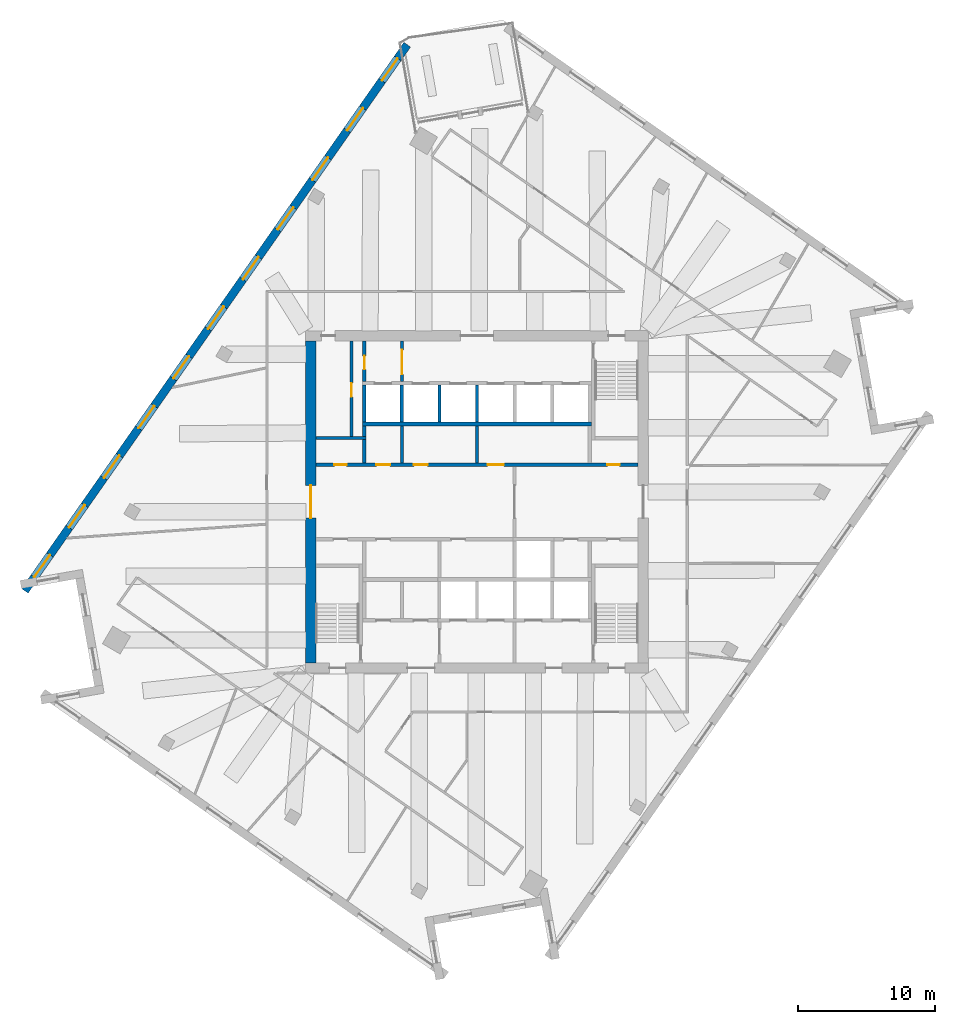
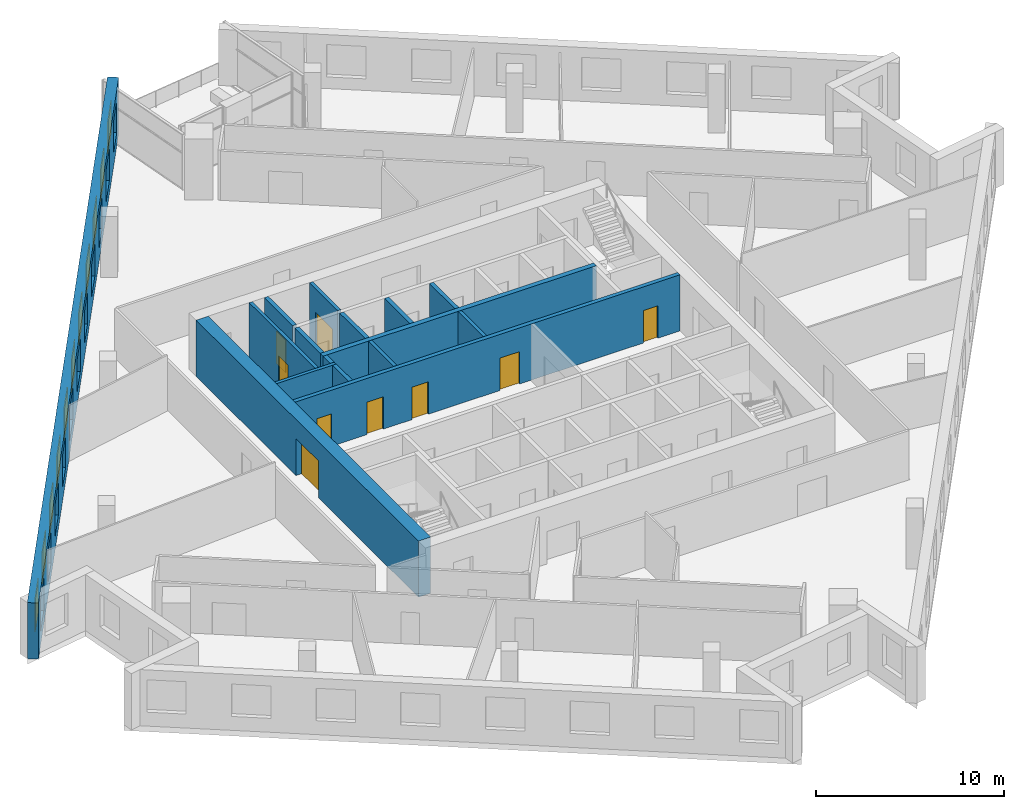
# One storey, part 9 of 13: 16 walls, 11 windows, 9 doors, 20 openings.
"""IFC4 building model written with IfcOpenShell, lengths in metres."""

from ifc_helpers import new_model, si_unit, direction, frame, frame_2d, origin, place, context, subcontext, project, spatial, rectangle, extrude, material, layer, layer_set, type_object, element, fill, save


model = new_model("IFC4")

# Units and contexts
model_context = context("Model", 3, precision=1e-05, world=origin(), true_north=direction((0.0, 1.0)))
body_context = subcontext(model_context, "Body", "Model", "MODEL_VIEW")
ifc_project = project(units=[si_unit("LENGTHUNIT", "METRE"), si_unit("AREAUNIT", "SQUARE_METRE"), si_unit("VOLUMEUNIT", "CUBIC_METRE"), si_unit("PLANEANGLEUNIT", "RADIAN"), si_unit("MASSUNIT", "GRAM", prefix="KILO")], contexts=[model_context])

# Site, building, storey
site_placement = place(None, origin())
site = spatial("IfcSite", under=ifc_project, at=site_placement, CompositionType="ELEMENT")
building_placement = place(site_placement, origin())
building = spatial("IfcBuilding", under=site, at=building_placement, Name="Dilmun Exchange Tower", CompositionType="ELEMENT")
storey_placement = place(building_placement, frame((0.0, 0.0, 242.89990234375)))
storey = spatial("IfcBuildingStorey", under=building, at=storey_placement, Name="L57", CompositionType="ELEMENT", Elevation=242.89990234375)

# Walls
ifc_material_1 = material(Name="Concrete C40/50", Category="concrete")
ifc_layer_1 = layer(ifc_material_1, 0.199951171875)
ifc_layer_set_1 = layer_set([ifc_layer_1], Name="Concrete C40/50")
wall_type_1 = type_object("IfcWallType", Name="Core partition wall 200", PredefinedType="PARTITIONING", material=ifc_layer_set_1)
for number, where, z_axis, x_axis, name in (
    (1, (-5.5, 2.85498046875, 0.0), (0.0, 0.0, 1.0), (0.0, 1.0, 0.0), "L57 core partition wall 15"),
    (2, (0.0, 2.85498046875, 0.0), (0.0, 0.0, 1.0), (0.0, 1.0, 0.0), "L57 core partition wall 16"),
):
    element("IfcWall", number, at=place(storey_placement, frame(where, z_axis=z_axis, x_axis=x_axis)), inside=storey, type_object=wall_type_1, Name=name, PredefinedType="PARTITIONING", context=body_context, shape_type="SweptSolid", body=[
        extrude(rectangle(XDim=2.68994140625, YDim=0.199951171875, at=frame_2d((1.344970703125, 0.0))), origin(), (0.0, 0.0, 1.0), 3.64013671875),
    ])
wall_1_placement = place(storey_placement, frame((-11.794921875, 4.675048828125, 0.0), z_axis=(0.0, 0.0, 1.0), x_axis=(1.0, 0.0, 0.0)))
element("IfcWall", 3, at=wall_1_placement, inside=storey, type_object=wall_type_1, Name="L57 core partition wall 18", PredefinedType="PARTITIONING", context=body_context, shape_type="SweptSolid", body=[
    extrude(rectangle(XDim=3.64501953125, YDim=0.199951171875, at=frame_2d((1.822509765625, 0.0))), origin(), (0.0, 0.0, 1.0), 3.64013671875),
])

# Wall, opening, door
wall_2_placement = place(storey_placement, frame((-9.199951171875, 4.780029296875, 0.0), z_axis=(0.0, 0.0, 1.0), x_axis=(0.0, 1.0, 0.0)))
wall_2 = element("IfcWall", 4, at=wall_2_placement, inside=storey, type_object=wall_type_1, Name="L57 core partition wall 19", PredefinedType="PARTITIONING", context=body_context, shape_type="SweptSolid", body=[
    extrude(rectangle(XDim=7.014892578125, YDim=0.199951171875, at=frame_2d((3.50732421875, 0.0))), origin(), (0.0, 0.0, 1.0), 3.64013671875),
])
opening_1_placement = place(wall_2_placement, frame((2.919921875, 0.0, 0.0)))
opening_1 = element("IfcOpeningElement", 5, at=opening_1_placement, cuts=wall_2, Name="Opening CD4", PredefinedType="OPENING", context=body_context, shape_type="SweptSolid", body=[
    extrude(rectangle(XDim=1.0, YDim=2.10009765625, at=frame_2d((0.5, 1.050048828125))), frame((0.0, 0.10986328125, 0.0), z_axis=(0.0, -1.0, 0.0), x_axis=(1.0, 0.0, 0.0)), (0.0, 0.0, 1.0), 0.219970703125),
])
ifc_material_2 = material(Name="Fire-rated steel door set", Category="steel")
door_type_1 = type_object("IfcDoorType", Name="Core room door 1000x2100", OperationType="SINGLE_SWING_LEFT", PredefinedType="DOOR", material=ifc_material_2)
door_1_placement = place(opening_1_placement, origin())
door_1 = element("IfcDoor", 6, at=door_1_placement, inside=storey, type_object=door_type_1, Name="L57 door Fire safety store", OperationType="SINGLE_SWING_RIGHT", OverallHeight=2.10009765625, OverallWidth=1.0, PredefinedType="DOOR", context=body_context, shape_type="SweptSolid", body=[
    extrude(rectangle(XDim=1.0, YDim=2.10009765625, at=frame_2d((0.5, 1.050048828125))), frame((0.0, 0.02490234375, 0.0), z_axis=(0.0, -1.0, 0.0), x_axis=(1.0, 0.0, 0.0)), (0.0, 0.0, 1.0), 0.050048828125),
])
fill(opening_1, door_1)

wall_3_placement = place(storey_placement, frame((-5.5, 8.804931640625, 0.0), z_axis=(0.0, 0.0, 1.0), x_axis=(0.0, 1.0, 0.0)))
wall_3 = element("IfcWall", 7, at=wall_3_placement, inside=storey, type_object=wall_type_1, Name="L57 core partition wall 22", PredefinedType="PARTITIONING", context=body_context, shape_type="SweptSolid", body=[
    extrude(rectangle(XDim=2.989990234375, YDim=0.199951171875, at=frame_2d((1.4951171875, 0.0))), origin(), (0.0, 0.0, 1.0), 3.64013671875),
])
opening_2_placement = place(wall_3_placement, frame((0.532470703125, 0.0, 0.0)))
opening_2 = element("IfcOpeningElement", 8, at=opening_2_placement, cuts=wall_3, Name="Opening CD5", PredefinedType="OPENING", context=body_context, shape_type="SweptSolid", body=[
    extrude(rectangle(XDim=1.800048828125, YDim=2.10009765625, at=frame_2d((0.89990234375, 1.050048828125))), frame((0.0, 0.10986328125, 0.0), z_axis=(0.0, -1.0, 0.0), x_axis=(1.0, 0.0, 0.0)), (0.0, 0.0, 1.0), 0.219970703125),
])
door_type_2 = type_object("IfcDoorType", Name="Stair exit door 1800x2100", OperationType="SINGLE_SWING_LEFT", PredefinedType="DOOR", material=ifc_material_2)
door_2_placement = place(opening_2_placement, origin())
door_2 = element("IfcDoor", 9, at=door_2_placement, inside=storey, type_object=door_type_2, Name="L57 door Lift lobby east", OperationType="SINGLE_SWING_LEFT", OverallHeight=2.10009765625, OverallWidth=1.800048828125, PredefinedType="DOOR", context=body_context, shape_type="SweptSolid", body=[
    extrude(rectangle(XDim=1.800048828125, YDim=2.10009765625, at=frame_2d((0.89990234375, 1.050048828125))), frame((0.0, 0.02490234375, 0.0), z_axis=(0.0, -1.0, 0.0), x_axis=(1.0, 0.0, 0.0)), (0.0, 0.0, 1.0), 0.050048828125),
])
fill(opening_2, door_2)

# Wall, openings, doors
ifc_layer_2 = layer(ifc_material_1, 0.25)
ifc_layer_set_2 = layer_set([ifc_layer_2], Name="Concrete C40/50")
wall_type_2 = type_object("IfcWallType", Name="Core partition wall 250", PredefinedType="PARTITIONING", material=ifc_layer_set_2)
wall_4_placement = place(storey_placement, frame((-11.794921875, 2.72509765625, 0.0), z_axis=(0.0, 0.0, 1.0), x_axis=(1.0, 0.0, 0.0)))
wall_4 = element("IfcWall", 10, at=wall_4_placement, inside=storey, type_object=wall_type_2, Name="L57 core partition wall 13", PredefinedType="PARTITIONING", context=body_context, shape_type="SweptSolid", body=[
    extrude(rectangle(XDim=23.58984375, YDim=0.25, at=frame_2d((11.794921875, 0.0))), origin(), (0.0, 0.0, 1.0), 3.64013671875),
])
opening_3_placement = place(wall_4_placement, frame((21.344970703125, 0.0, 0.0)))
opening_3 = element("IfcOpeningElement", 11, at=opening_3_placement, cuts=wall_4, Name="Opening CD6", PredefinedType="OPENING", context=body_context, shape_type="SweptSolid", body=[
    extrude(rectangle(XDim=0.89990234375, YDim=2.10009765625, at=frame_2d((0.449951171875, 1.050048828125))), frame((0.0, 0.135009765625, 0.0), z_axis=(0.0, -1.0, 0.0), x_axis=(1.0, 0.0, 0.0)), (0.0, 0.0, 1.0), 0.27001953125),
])
opening_4_placement = place(wall_4_placement, frame((1.344970703125, 0.0, 0.0)))
opening_4 = element("IfcOpeningElement", 12, at=opening_4_placement, cuts=wall_4, Name="Opening CD6", PredefinedType="OPENING", context=body_context, shape_type="SweptSolid", body=[
    extrude(rectangle(XDim=0.89990234375, YDim=2.10009765625, at=frame_2d((0.449951171875, 1.050048828125))), frame((0.0, 0.135009765625, 0.0), z_axis=(0.0, -1.0, 0.0), x_axis=(1.0, 0.0, 0.0)), (0.0, 0.0, 1.0), 0.27001953125),
])
opening_5_placement = place(wall_4_placement, frame((4.419921875, 0.0, 0.0)))
opening_5 = element("IfcOpeningElement", 13, at=opening_5_placement, cuts=wall_4, Name="Opening CD4", PredefinedType="OPENING", context=body_context, shape_type="SweptSolid", body=[
    extrude(rectangle(XDim=1.0, YDim=2.10009765625, at=frame_2d((0.5, 1.050048828125))), frame((0.0, 0.135009765625, 0.0), z_axis=(0.0, -1.0, 0.0), x_axis=(1.0, 0.0, 0.0)), (0.0, 0.0, 1.0), 0.27001953125),
])
opening_6_placement = place(wall_4_placement, frame((7.169921875, 0.0, 0.0)))
opening_6 = element("IfcOpeningElement", 14, at=opening_6_placement, cuts=wall_4, Name="Opening CD4", PredefinedType="OPENING", context=body_context, shape_type="SweptSolid", body=[
    extrude(rectangle(XDim=1.0, YDim=2.10009765625, at=frame_2d((0.5, 1.050048828125))), frame((0.0, 0.135009765625, 0.0), z_axis=(0.0, -1.0, 0.0), x_axis=(1.0, 0.0, 0.0)), (0.0, 0.0, 1.0), 0.27001953125),
])
opening_7_placement = place(wall_4_placement, frame((12.570068359375, 0.0, 0.0)))
opening_7 = element("IfcOpeningElement", 15, at=opening_7_placement, cuts=wall_4, Name="Opening CD3", PredefinedType="OPENING", context=body_context, shape_type="SweptSolid", body=[
    extrude(rectangle(XDim=1.199951171875, YDim=2.10009765625, at=frame_2d((0.60009765625, 1.050048828125))), frame((0.0, 0.135009765625, 0.0), z_axis=(0.0, -1.0, 0.0), x_axis=(1.0, 0.0, 0.0)), (0.0, 0.0, 1.0), 0.27001953125),
])
door_3_placement = place(opening_5_placement, origin())
door_3 = element("IfcDoor", 16, at=door_3_placement, inside=storey, type_object=door_type_1, Name="L57 door Pantry", OperationType="SINGLE_SWING_RIGHT", OverallHeight=2.10009765625, OverallWidth=1.0, PredefinedType="DOOR", context=body_context, shape_type="SweptSolid", body=[
    extrude(rectangle(XDim=1.0, YDim=2.10009765625, at=frame_2d((0.5, 1.050048828125))), frame((0.0, 0.02490234375, 0.0), z_axis=(0.0, -1.0, 0.0), x_axis=(1.0, 0.0, 0.0)), (0.0, 0.0, 1.0), 0.050048828125),
])
fill(opening_5, door_3)
door_4_placement = place(opening_6_placement, origin())
door_4 = element("IfcDoor", 17, at=door_4_placement, inside=storey, type_object=door_type_1, Name="L57 door Mechanical room", OperationType="SINGLE_SWING_RIGHT", OverallHeight=2.10009765625, OverallWidth=1.0, PredefinedType="DOOR", context=body_context, shape_type="SweptSolid", body=[
    extrude(rectangle(XDim=1.0, YDim=2.10009765625, at=frame_2d((0.5, 1.050048828125))), frame((0.0, 0.02490234375, 0.0), z_axis=(0.0, -1.0, 0.0), x_axis=(1.0, 0.0, 0.0)), (0.0, 0.0, 1.0), 0.050048828125),
])
fill(opening_6, door_4)
door_type_3 = type_object("IfcDoorType", Name="Core room door 900x2100", OperationType="SINGLE_SWING_LEFT", PredefinedType="DOOR", material=ifc_material_2)
door_5_placement = place(opening_3_placement, origin())
door_5 = element("IfcDoor", 18, at=door_5_placement, inside=storey, type_object=door_type_3, Name="L57 door Electrical riser", OperationType="SINGLE_SWING_RIGHT", OverallHeight=2.10009765625, OverallWidth=0.89990234375, PredefinedType="DOOR", context=body_context, shape_type="SweptSolid", body=[
    extrude(rectangle(XDim=0.89990234375, YDim=2.10009765625, at=frame_2d((0.449951171875, 1.050048828125))), frame((0.0, 0.02490234375, 0.0), z_axis=(0.0, -1.0, 0.0), x_axis=(1.0, 0.0, 0.0)), (0.0, 0.0, 1.0), 0.050048828125),
])
fill(opening_3, door_5)
door_6_placement = place(opening_4_placement, origin())
door_6 = element("IfcDoor", 19, at=door_6_placement, inside=storey, type_object=door_type_3, Name="L57 door Plumbing riser", OperationType="SINGLE_SWING_RIGHT", OverallHeight=2.10009765625, OverallWidth=0.89990234375, PredefinedType="DOOR", context=body_context, shape_type="SweptSolid", body=[
    extrude(rectangle(XDim=0.89990234375, YDim=2.10009765625, at=frame_2d((0.449951171875, 1.050048828125))), frame((0.0, 0.02490234375, 0.0), z_axis=(0.0, -1.0, 0.0), x_axis=(1.0, 0.0, 0.0)), (0.0, 0.0, 1.0), 0.050048828125),
])
fill(opening_4, door_6)
door_type_4 = type_object("IfcDoorType", Name="Stair exit door 1200x2100", OperationType="SINGLE_SWING_LEFT", PredefinedType="DOOR", material=ifc_material_2)
door_7_placement = place(opening_7_placement, origin())
door_7 = element("IfcDoor", 20, at=door_7_placement, inside=storey, type_object=door_type_4, Name="L57 door Tenant meeting suite", OperationType="SINGLE_SWING_LEFT", OverallHeight=2.10009765625, OverallWidth=1.199951171875, PredefinedType="DOOR", context=body_context, shape_type="SweptSolid", body=[
    extrude(rectangle(XDim=1.199951171875, YDim=2.10009765625, at=frame_2d((0.60009765625, 1.050048828125))), frame((0.0, 0.02490234375, 0.0), z_axis=(0.0, -1.0, 0.0), x_axis=(1.0, 0.0, 0.0)), (0.0, 0.0, 1.0), 0.050048828125),
])
fill(opening_7, door_7)

# Walls
wall_5_placement = place(storey_placement, frame((-8.25, 2.85498046875, 0.0), z_axis=(0.0, 0.0, 1.0), x_axis=(0.0, 1.0, 0.0)))
element("IfcWall", 21, at=wall_5_placement, inside=storey, type_object=wall_type_2, Name="L57 core partition wall 14", PredefinedType="PARTITIONING", context=body_context, shape_type="SweptSolid", body=[
    extrude(rectangle(XDim=1.715087890625, YDim=0.25, at=frame_2d((0.857421875, 0.0))), origin(), (0.0, 0.0, 1.0), 3.64013671875),
])
wall_6_placement = place(storey_placement, frame((-8.25, 4.780029296875, 0.0), z_axis=(0.0, 0.0, 1.0), x_axis=(0.0, 1.0, 0.0)))
element("IfcWall", 22, at=wall_6_placement, inside=storey, type_object=wall_type_2, Name="L57 core partition wall 20", PredefinedType="PARTITIONING", context=body_context, shape_type="SweptSolid", body=[
    extrude(rectangle(XDim=0.764892578125, YDim=0.25, at=frame_2d((0.38232421875, 0.0))), origin(), (0.0, 0.0, 1.0), 3.64013671875),
])

# Wall, opening, door
wall_7_placement = place(storey_placement, frame((-8.25, 8.804931640625, 0.0), z_axis=(0.0, 0.0, 1.0), x_axis=(0.0, 1.0, 0.0)))
wall_7 = element("IfcWall", 23, at=wall_7_placement, inside=storey, type_object=wall_type_2, Name="L57 core partition wall 21", PredefinedType="PARTITIONING", context=body_context, shape_type="SweptSolid", body=[
    extrude(rectangle(XDim=2.989990234375, YDim=0.25, at=frame_2d((1.4951171875, 0.0))), origin(), (0.0, 0.0, 1.0), 3.64013671875),
])
opening_8_placement = place(wall_7_placement, frame((0.89501953125, 0.0, 0.0)))
opening_8 = element("IfcOpeningElement", 24, at=opening_8_placement, cuts=wall_7, Name="Opening CD4", PredefinedType="OPENING", context=body_context, shape_type="SweptSolid", body=[
    extrude(rectangle(XDim=1.0, YDim=2.10009765625, at=frame_2d((0.5, 1.050048828125))), frame((0.0, 0.135009765625, 0.0), z_axis=(0.0, -1.0, 0.0), x_axis=(1.0, 0.0, 0.0)), (0.0, 0.0, 1.0), 0.27001953125),
])
door_8_placement = place(opening_8_placement, origin())
door_8 = element("IfcDoor", 25, at=door_8_placement, inside=storey, type_object=door_type_1, Name="L57 door Tenant services room", OperationType="SINGLE_SWING_RIGHT", OverallHeight=2.10009765625, OverallWidth=1.0, PredefinedType="DOOR", context=body_context, shape_type="SweptSolid", body=[
    extrude(rectangle(XDim=1.0, YDim=2.10009765625, at=frame_2d((0.5, 1.050048828125))), frame((0.0, 0.02490234375, 0.0), z_axis=(0.0, -1.0, 0.0), x_axis=(1.0, 0.0, 0.0)), (0.0, 0.0, 1.0), 0.050048828125),
])
fill(opening_8, door_8)

ifc_material_3 = material(Name="Concrete C50/60", Category="concrete")
ifc_layer_3 = layer(ifc_material_3, 0.75)
ifc_layer_set_3 = layer_set([ifc_layer_3], Name="Concrete C50/60")
wall_type_3 = type_object("IfcWallType", Name="Core shear wall 750 Concrete C50/60", PredefinedType="SHEAR", material=ifc_layer_set_3)
wall_8_placement = place(storey_placement, frame((-12.175048828125, -11.800048828125, 0.0), z_axis=(0.0, 0.0, 1.0), x_axis=(0.0, 1.0, 0.0)))
wall_8 = element("IfcWall", 26, at=wall_8_placement, inside=storey, type_object=wall_type_3, Name="L57 core shear wall W", PredefinedType="SHEAR", context=body_context, shape_type="SweptSolid", body=[
    extrude(rectangle(XDim=23.60009765625, YDim=0.75, at=frame_2d((11.800048828125, 0.0))), origin(), (0.0, 0.0, 1.0), 3.64013671875),
])
opening_9_placement = place(wall_8_placement, frame((10.60009765625, 0.0, 0.0)))
opening_9 = element("IfcOpeningElement", 27, at=opening_9_placement, cuts=wall_8, Name="Opening CD1", PredefinedType="OPENING", context=body_context, shape_type="SweptSolid", body=[
    extrude(rectangle(XDim=2.39990234375, YDim=2.39990234375, at=frame_2d((1.199951171875, 1.199951171875))), frame((0.0, 0.385009765625, 0.0), z_axis=(0.0, -1.0, 0.0), x_axis=(1.0, 0.0, 0.0)), (0.0, 0.0, 1.0), 0.77001953125),
])
door_type_5 = type_object("IfcDoorType", Name="Core lobby door 2400x2400", OperationType="DOUBLE_DOOR_DOUBLE_SWING", PredefinedType="DOOR", material=ifc_material_2)
door_9_placement = place(opening_9_placement, origin())
door_9 = element("IfcDoor", 28, at=door_9_placement, inside=storey, type_object=door_type_5, Name="L57 door Central lift lobby", OperationType="SINGLE_SWING_LEFT", OverallHeight=2.39990234375, OverallWidth=2.39990234375, PredefinedType="DOOR", context=body_context, shape_type="SweptSolid", body=[
    extrude(rectangle(XDim=2.39990234375, YDim=2.39990234375, at=frame_2d((1.199951171875, 1.199951171875))), frame((0.0, 0.02490234375, 0.0), z_axis=(0.0, -1.0, 0.0), x_axis=(1.0, 0.0, 0.0)), (0.0, 0.0, 1.0), 0.050048828125),
])
fill(opening_9, door_9)

# Walls
ifc_layer_4 = layer(ifc_material_1, 0.300048828125)
ifc_layer_set_4 = layer_set([ifc_layer_4], Name="Concrete C40/50")
wall_type_4 = type_object("IfcWallType", Name="Lift shaft shared wall 300", PredefinedType="SOLIDWALL", material=ifc_layer_set_4)
wall_9_placement = place(storey_placement, frame((-8.375, 5.699951171875, 0.0), z_axis=(0.0, 0.0, 1.0), x_axis=(1.0, 0.0, 0.0)))
element("IfcWall", 29, at=wall_9_placement, inside=storey, type_object=wall_type_4, Name="L57 lift shaft rear wall N", PredefinedType="SOLIDWALL", context=body_context, shape_type="SweptSolid", body=[
    extrude(rectangle(XDim=16.75, YDim=0.300048828125, at=frame_2d((8.375, 0.0))), origin(), (0.0, 0.0, 1.0), 3.64013671875),
])
ifc_layer_5 = layer(ifc_material_1, 0.25)
ifc_layer_set_5 = layer_set([ifc_layer_5], Name="Concrete C40/50")
wall_type_5 = type_object("IfcWallType", Name="Lift shaft wall 250", PredefinedType="SOLIDWALL", material=ifc_layer_set_5)
for number, where, z_axis, x_axis, name in (
    (30, (-8.25, 5.85009765625, 0.0), (0.0, 0.0, 1.0), (0.0, 1.0, 0.0), "L57 lift shaft divider N20"),
    (31, (-5.5, 5.85009765625, 0.0), (0.0, 0.0, 1.0), (0.0, 1.0, 0.0), "L57 lift shaft divider N21"),
    (32, (-2.75, 5.85009765625, 0.0), (0.0, 0.0, 1.0), (0.0, 1.0, 0.0), "L57 lift shaft divider N22"),
    (33, (0.0, 5.85009765625, 0.0), (0.0, 0.0, 1.0), (0.0, 1.0, 0.0), "L57 lift shaft divider N23"),
):
    element("IfcWall", number, at=place(storey_placement, frame(where, z_axis=z_axis, x_axis=x_axis)), inside=storey, type_object=wall_type_5, Name=name, PredefinedType="SOLIDWALL", context=body_context, shape_type="SweptSolid", body=[
        extrude(rectangle(XDim=2.699951171875, YDim=0.25, at=frame_2d((1.35009765625, 0.0))), origin(), (0.0, 0.0, 1.0), 3.64013671875),
    ])

# Wall, openings, windows
ifc_material_4 = material(Name="Precast concrete C50/60", Category="concrete")
ifc_layer_6 = layer(ifc_material_4, 0.60009765625)
ifc_layer_set_6 = layer_set([ifc_layer_6], Name="Precast concrete C50/60")
wall_type_6 = type_object("IfcWallType", Name="Precast stone-clad wall 600", PredefinedType="STANDARD", material=ifc_layer_set_6)
wall_10_placement = place(storey_placement, frame((-5.115478515625, 33.490966796875, 0.0), z_axis=(0.0, 0.0, 1.0), x_axis=(-0.57357740375, -0.819151366908, 0.0)))
wall_10 = element("IfcWall", 34, at=wall_10_placement, inside=storey, type_object=wall_type_6, Name="Facade wall L57-03", PredefinedType="STANDARD", context=body_context, shape_type="SweptSolid", body=[
    extrude(rectangle(XDim=48.84326171875, YDim=0.60009765625, at=frame_2d((24.421630859375, 0.0))), origin(), (0.0, 0.0, 1.0), 3.64013671875),
])
opening_10_placement = place(wall_10_placement, frame((1.22021484375, 0.0, 0.89990234375)))
opening_10 = element("IfcOpeningElement", 35, at=opening_10_placement, cuts=wall_10, Name="Opening W200-210", PredefinedType="OPENING", context=body_context, shape_type="SweptSolid", body=[
    extrude(rectangle(XDim=2.0, YDim=2.10009765625, at=frame_2d((1.0, 1.050048828125))), frame((0.0, 0.31005859375, 0.0), z_axis=(0.0, -1.0, 0.0), x_axis=(1.0, 0.0, 0.0)), (0.0, 0.0, 1.0), 0.6201171875),
])
opening_11_placement = place(wall_10_placement, frame((5.660400390625, 0.0, 0.89990234375)))
opening_11 = element("IfcOpeningElement", 36, at=opening_11_placement, cuts=wall_10, Name="Opening W200-210", PredefinedType="OPENING", context=body_context, shape_type="SweptSolid", body=[
    extrude(rectangle(XDim=2.0, YDim=2.10009765625, at=frame_2d((1.0, 1.050048828125))), frame((0.0, 0.31005859375, 0.0), z_axis=(0.0, -1.0, 0.0), x_axis=(1.0, 0.0, 0.0)), (0.0, 0.0, 1.0), 0.6201171875),
])
opening_12_placement = place(wall_10_placement, frame((10.1005859375, 0.0, 0.89990234375)))
opening_12 = element("IfcOpeningElement", 37, at=opening_12_placement, cuts=wall_10, Name="Opening W200-210", PredefinedType="OPENING", context=body_context, shape_type="SweptSolid", body=[
    extrude(rectangle(XDim=2.0, YDim=2.10009765625, at=frame_2d((1.0, 1.050048828125))), frame((0.0, 0.31005859375, 0.0), z_axis=(0.0, -1.0, 0.0), x_axis=(1.0, 0.0, 0.0)), (0.0, 0.0, 1.0), 0.6201171875),
])
opening_13_placement = place(wall_10_placement, frame((14.541015625, 0.0, 0.89990234375)))
opening_13 = element("IfcOpeningElement", 38, at=opening_13_placement, cuts=wall_10, Name="Opening W200-210", PredefinedType="OPENING", context=body_context, shape_type="SweptSolid", body=[
    extrude(rectangle(XDim=2.0, YDim=2.10009765625, at=frame_2d((1.0, 1.050048828125))), frame((0.0, 0.31005859375, 0.0), z_axis=(0.0, -1.0, 0.0), x_axis=(1.0, 0.0, 0.0)), (0.0, 0.0, 1.0), 0.6201171875),
])
opening_14_placement = place(wall_10_placement, frame((18.981201171875, 0.0, 0.89990234375)))
opening_14 = element("IfcOpeningElement", 39, at=opening_14_placement, cuts=wall_10, Name="Opening W200-210", PredefinedType="OPENING", context=body_context, shape_type="SweptSolid", body=[
    extrude(rectangle(XDim=2.0, YDim=2.10009765625, at=frame_2d((1.0, 1.050048828125))), frame((0.0, 0.31005859375, 0.0), z_axis=(0.0, -1.0, 0.0), x_axis=(1.0, 0.0, 0.0)), (0.0, 0.0, 1.0), 0.6201171875),
])
opening_15_placement = place(wall_10_placement, frame((23.421630859375, 0.0, 0.89990234375)))
opening_15 = element("IfcOpeningElement", 40, at=opening_15_placement, cuts=wall_10, Name="Opening W200-210", PredefinedType="OPENING", context=body_context, shape_type="SweptSolid", body=[
    extrude(rectangle(XDim=2.0, YDim=2.10009765625, at=frame_2d((1.0, 1.050048828125))), frame((0.0, 0.31005859375, 0.0), z_axis=(0.0, -1.0, 0.0), x_axis=(1.0, 0.0, 0.0)), (0.0, 0.0, 1.0), 0.6201171875),
])
opening_16_placement = place(wall_10_placement, frame((27.86181640625, 0.0, 0.89990234375)))
opening_16 = element("IfcOpeningElement", 41, at=opening_16_placement, cuts=wall_10, Name="Opening W200-210", PredefinedType="OPENING", context=body_context, shape_type="SweptSolid", body=[
    extrude(rectangle(XDim=2.0, YDim=2.10009765625, at=frame_2d((1.0, 1.050048828125))), frame((0.0, 0.31005859375, 0.0), z_axis=(0.0, -1.0, 0.0), x_axis=(1.0, 0.0, 0.0)), (0.0, 0.0, 1.0), 0.6201171875),
])
opening_17_placement = place(wall_10_placement, frame((32.302001953125, 0.0, 0.89990234375)))
opening_17 = element("IfcOpeningElement", 42, at=opening_17_placement, cuts=wall_10, Name="Opening W200-210", PredefinedType="OPENING", context=body_context, shape_type="SweptSolid", body=[
    extrude(rectangle(XDim=2.0, YDim=2.10009765625, at=frame_2d((1.0, 1.050048828125))), frame((0.0, 0.31005859375, 0.0), z_axis=(0.0, -1.0, 0.0), x_axis=(1.0, 0.0, 0.0)), (0.0, 0.0, 1.0), 0.6201171875),
])
opening_18_placement = place(wall_10_placement, frame((36.742431640625, 0.0, 0.89990234375)))
opening_18 = element("IfcOpeningElement", 43, at=opening_18_placement, cuts=wall_10, Name="Opening W200-210", PredefinedType="OPENING", context=body_context, shape_type="SweptSolid", body=[
    extrude(rectangle(XDim=2.0, YDim=2.10009765625, at=frame_2d((1.0, 1.050048828125))), frame((0.0, 0.31005859375, 0.0), z_axis=(0.0, -1.0, 0.0), x_axis=(1.0, 0.0, 0.0)), (0.0, 0.0, 1.0), 0.6201171875),
])
opening_19_placement = place(wall_10_placement, frame((41.1826171875, 0.0, 0.89990234375)))
opening_19 = element("IfcOpeningElement", 44, at=opening_19_placement, cuts=wall_10, Name="Opening W200-210", PredefinedType="OPENING", context=body_context, shape_type="SweptSolid", body=[
    extrude(rectangle(XDim=2.0, YDim=2.10009765625, at=frame_2d((1.0, 1.050048828125))), frame((0.0, 0.31005859375, 0.0), z_axis=(0.0, -1.0, 0.0), x_axis=(1.0, 0.0, 0.0)), (0.0, 0.0, 1.0), 0.6201171875),
])
opening_20_placement = place(wall_10_placement, frame((45.623046875, 0.0, 0.89990234375)))
opening_20 = element("IfcOpeningElement", 45, at=opening_20_placement, cuts=wall_10, Name="Opening W200-210", PredefinedType="OPENING", context=body_context, shape_type="SweptSolid", body=[
    extrude(rectangle(XDim=2.0, YDim=2.10009765625, at=frame_2d((1.0, 1.050048828125))), frame((0.0, 0.31005859375, 0.0), z_axis=(0.0, -1.0, 0.0), x_axis=(1.0, 0.0, 0.0)), (0.0, 0.0, 1.0), 0.6201171875),
])
ifc_material_5 = material(Name="Clear low-emissivity glass in aluminium frame", Category="aluminium")
window_type = type_object("IfcWindowType", Name="Punched window 2000 x 2100", PartitioningType="DOUBLE_PANEL_VERTICAL", PredefinedType="WINDOW", material=ifc_material_5)
window_1_placement = place(opening_10_placement, origin())
window_1 = element("IfcWindow", 46, at=window_1_placement, inside=storey, type_object=window_type, Name="Window 4.1", OverallHeight=2.10009765625, OverallWidth=2.0, PartitioningType="SINGLE_PANEL", PredefinedType="WINDOW", context=body_context, shape_type="SweptSolid", body=[
    extrude(rectangle(XDim=2.0, YDim=2.10009765625, at=frame_2d((1.0, 1.050048828125))), frame((0.0, 0.030029296875, 0.0), z_axis=(0.0, -1.0, 0.0), x_axis=(1.0, 0.0, 0.0)), (0.0, 0.0, 1.0), 0.06005859375),
])
fill(opening_10, window_1)
window_2_placement = place(opening_11_placement, origin())
window_2 = element("IfcWindow", 47, at=window_2_placement, inside=storey, type_object=window_type, Name="Window 4.2", OverallHeight=2.10009765625, OverallWidth=2.0, PartitioningType="SINGLE_PANEL", PredefinedType="WINDOW", context=body_context, shape_type="SweptSolid", body=[
    extrude(rectangle(XDim=2.0, YDim=2.10009765625, at=frame_2d((1.0, 1.050048828125))), frame((0.0, 0.030029296875, 0.0), z_axis=(0.0, -1.0, 0.0), x_axis=(1.0, 0.0, 0.0)), (0.0, 0.0, 1.0), 0.06005859375),
])
fill(opening_11, window_2)
window_3_placement = place(opening_12_placement, origin())
window_3 = element("IfcWindow", 48, at=window_3_placement, inside=storey, type_object=window_type, Name="Window 4.3", OverallHeight=2.10009765625, OverallWidth=2.0, PartitioningType="SINGLE_PANEL", PredefinedType="WINDOW", context=body_context, shape_type="SweptSolid", body=[
    extrude(rectangle(XDim=2.0, YDim=2.10009765625, at=frame_2d((1.0, 1.050048828125))), frame((0.0, 0.030029296875, 0.0), z_axis=(0.0, -1.0, 0.0), x_axis=(1.0, 0.0, 0.0)), (0.0, 0.0, 1.0), 0.06005859375),
])
fill(opening_12, window_3)
window_4_placement = place(opening_13_placement, origin())
window_4 = element("IfcWindow", 49, at=window_4_placement, inside=storey, type_object=window_type, Name="Window 4.4", OverallHeight=2.10009765625, OverallWidth=2.0, PartitioningType="SINGLE_PANEL", PredefinedType="WINDOW", context=body_context, shape_type="SweptSolid", body=[
    extrude(rectangle(XDim=2.0, YDim=2.10009765625, at=frame_2d((1.0, 1.050048828125))), frame((0.0, 0.030029296875, 0.0), z_axis=(0.0, -1.0, 0.0), x_axis=(1.0, 0.0, 0.0)), (0.0, 0.0, 1.0), 0.06005859375),
])
fill(opening_13, window_4)
window_5_placement = place(opening_14_placement, origin())
window_5 = element("IfcWindow", 50, at=window_5_placement, inside=storey, type_object=window_type, Name="Window 4.5", OverallHeight=2.10009765625, OverallWidth=2.0, PartitioningType="SINGLE_PANEL", PredefinedType="WINDOW", context=body_context, shape_type="SweptSolid", body=[
    extrude(rectangle(XDim=2.0, YDim=2.10009765625, at=frame_2d((1.0, 1.050048828125))), frame((0.0, 0.030029296875, 0.0), z_axis=(0.0, -1.0, 0.0), x_axis=(1.0, 0.0, 0.0)), (0.0, 0.0, 1.0), 0.06005859375),
])
fill(opening_14, window_5)
window_6_placement = place(opening_15_placement, origin())
window_6 = element("IfcWindow", 51, at=window_6_placement, inside=storey, type_object=window_type, Name="Window 4.6", OverallHeight=2.10009765625, OverallWidth=2.0, PartitioningType="SINGLE_PANEL", PredefinedType="WINDOW", context=body_context, shape_type="SweptSolid", body=[
    extrude(rectangle(XDim=2.0, YDim=2.10009765625, at=frame_2d((1.0, 1.050048828125))), frame((0.0, 0.030029296875, 0.0), z_axis=(0.0, -1.0, 0.0), x_axis=(1.0, 0.0, 0.0)), (0.0, 0.0, 1.0), 0.06005859375),
])
fill(opening_15, window_6)
window_7_placement = place(opening_16_placement, origin())
window_7 = element("IfcWindow", 52, at=window_7_placement, inside=storey, type_object=window_type, Name="Window 4.7", OverallHeight=2.10009765625, OverallWidth=2.0, PartitioningType="SINGLE_PANEL", PredefinedType="WINDOW", context=body_context, shape_type="SweptSolid", body=[
    extrude(rectangle(XDim=2.0, YDim=2.10009765625, at=frame_2d((1.0, 1.050048828125))), frame((0.0, 0.030029296875, 0.0), z_axis=(0.0, -1.0, 0.0), x_axis=(1.0, 0.0, 0.0)), (0.0, 0.0, 1.0), 0.06005859375),
])
fill(opening_16, window_7)
window_8_placement = place(opening_17_placement, origin())
window_8 = element("IfcWindow", 53, at=window_8_placement, inside=storey, type_object=window_type, Name="Window 4.8", OverallHeight=2.10009765625, OverallWidth=2.0, PartitioningType="SINGLE_PANEL", PredefinedType="WINDOW", context=body_context, shape_type="SweptSolid", body=[
    extrude(rectangle(XDim=2.0, YDim=2.10009765625, at=frame_2d((1.0, 1.050048828125))), frame((0.0, 0.030029296875, 0.0), z_axis=(0.0, -1.0, 0.0), x_axis=(1.0, 0.0, 0.0)), (0.0, 0.0, 1.0), 0.06005859375),
])
fill(opening_17, window_8)
window_9_placement = place(opening_18_placement, origin())
window_9 = element("IfcWindow", 54, at=window_9_placement, inside=storey, type_object=window_type, Name="Window 4.9", OverallHeight=2.10009765625, OverallWidth=2.0, PartitioningType="SINGLE_PANEL", PredefinedType="WINDOW", context=body_context, shape_type="SweptSolid", body=[
    extrude(rectangle(XDim=2.0, YDim=2.10009765625, at=frame_2d((1.0, 1.050048828125))), frame((0.0, 0.030029296875, 0.0), z_axis=(0.0, -1.0, 0.0), x_axis=(1.0, 0.0, 0.0)), (0.0, 0.0, 1.0), 0.06005859375),
])
fill(opening_18, window_9)
window_10_placement = place(opening_19_placement, origin())
window_10 = element("IfcWindow", 55, at=window_10_placement, inside=storey, type_object=window_type, Name="Window 4.10", OverallHeight=2.10009765625, OverallWidth=2.0, PartitioningType="SINGLE_PANEL", PredefinedType="WINDOW", context=body_context, shape_type="SweptSolid", body=[
    extrude(rectangle(XDim=2.0, YDim=2.10009765625, at=frame_2d((1.0, 1.050048828125))), frame((0.0, 0.030029296875, 0.0), z_axis=(0.0, -1.0, 0.0), x_axis=(1.0, 0.0, 0.0)), (0.0, 0.0, 1.0), 0.06005859375),
])
fill(opening_19, window_10)
window_11_placement = place(opening_20_placement, origin())
window_11 = element("IfcWindow", 56, at=window_11_placement, inside=storey, type_object=window_type, Name="Window 4.11", OverallHeight=2.10009765625, OverallWidth=2.0, PartitioningType="SINGLE_PANEL", PredefinedType="WINDOW", context=body_context, shape_type="SweptSolid", body=[
    extrude(rectangle(XDim=2.0, YDim=2.10009765625, at=frame_2d((1.0, 1.050048828125))), frame((0.0, 0.030029296875, 0.0), z_axis=(0.0, -1.0, 0.0), x_axis=(1.0, 0.0, 0.0)), (0.0, 0.0, 1.0), 0.06005859375),
])
fill(opening_20, window_11)

save(model, "model.ifc")
